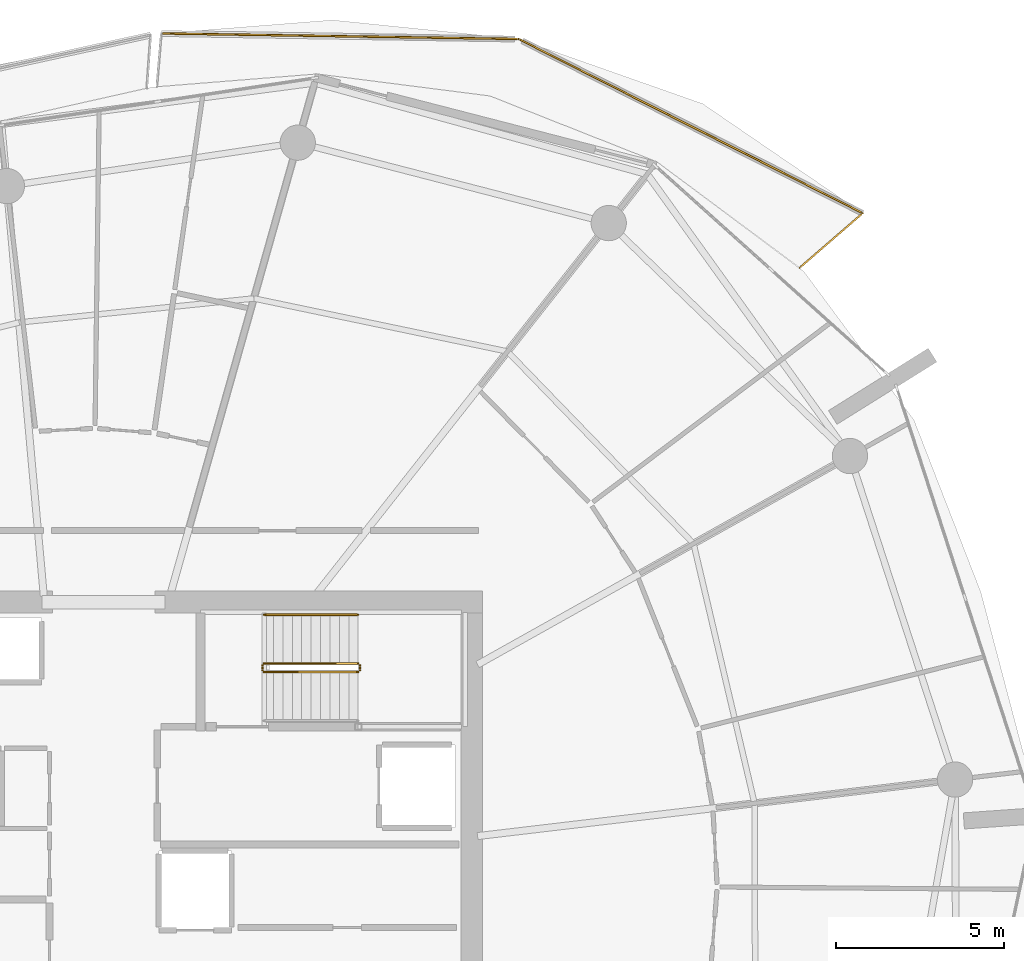
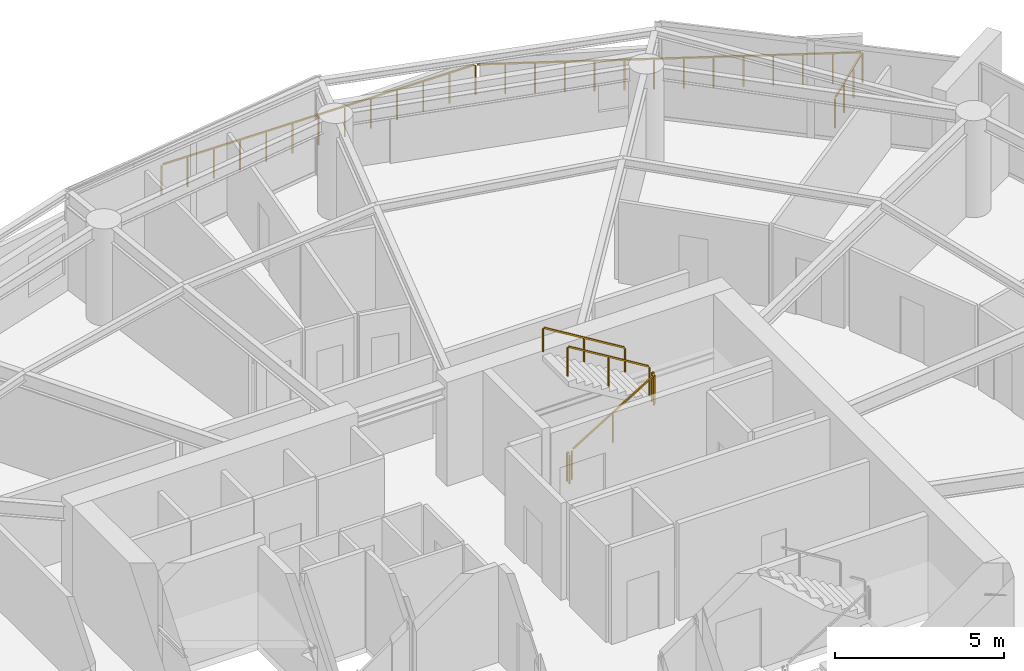
# One storey, part 20 of 20: 8 railings.
"""IFC4 building model written with IfcOpenShell, lengths in metres."""

from ifc_helpers import new_model, si_unit, direction, frame, origin, origin_2d, place, context, subcontext, project, spatial, rectangle, extrude, material, type_object, element, save


model = new_model("IFC4")

# Units and contexts
model_context = context("Model", 3, precision=1e-05, world=origin(), true_north=direction((0.0, 1.0)))
body_context = subcontext(model_context, "Body", "Model", "MODEL_VIEW")
ifc_project = project(units=[si_unit("LENGTHUNIT", "METRE"), si_unit("AREAUNIT", "SQUARE_METRE"), si_unit("VOLUMEUNIT", "CUBIC_METRE"), si_unit("PLANEANGLEUNIT", "RADIAN"), si_unit("MASSUNIT", "GRAM", prefix="KILO")], contexts=[model_context])

# Site, building, storey
site_placement = place(None, origin())
site = spatial("IfcSite", under=ifc_project, at=site_placement, CompositionType="ELEMENT")
building_placement = place(site_placement, origin())
building = spatial("IfcBuilding", under=site, at=building_placement, Name="Kazma Halo Residences", CompositionType="ELEMENT")
storey_placement = place(building_placement, frame((0.0, 0.0, 202.800048828125)))
storey = spatial("IfcBuildingStorey", under=building, at=storey_placement, Name="L51", CompositionType="ELEMENT", Elevation=202.800048828125)

# Railings
ifc_material_1 = material(Name="Aluminium AW-6063 T6 Brushed Cap Rail", Category="aluminium")
railing_type_1 = type_object("IfcRailingType", Name="RLG-BAL-CAP-1120", PredefinedType="BALUSTRADE", material=ifc_material_1)
railing_1_placement = place(storey_placement, frame((69.130126953125, 60.271240234375, 0.0)))
element("IfcRailing", 1, at=railing_1_placement, inside=storey, type_object=railing_type_1, Name="L51 NE wave balcony guard 1", PredefinedType="BALUSTRADE", context=body_context, shape_type="SweptSolid", body=[
    extrude(rectangle(XDim=0.050048828125, YDim=0.050048828125, at=origin_2d()), frame((0.0322265625, 0.02783203125, 1.09521484375), z_axis=(0.756442152352, 0.654060601279, 0.0), x_axis=(-0.654060601279, 0.756442152352, 0.0)), (0.0, 0.0, 1.0), 2.39501953125),
    extrude(rectangle(XDim=0.0400390625, YDim=0.0400390625, at=origin_2d()), origin(), (0.0, 0.0, 1.0), 1.05810546875),
    extrude(rectangle(XDim=0.0400390625, YDim=0.0400390625, at=origin_2d()), frame((0.625244140625, 0.540771484375, 0.0)), (0.0, 0.0, 1.0), 1.05810546875),
    extrude(rectangle(XDim=0.0400390625, YDim=0.0400390625, at=origin_2d()), frame((1.250732421875, 1.081298828125, 0.0)), (0.0, 0.0, 1.0), 1.05810546875),
    extrude(rectangle(XDim=0.0400390625, YDim=0.0400390625, at=origin_2d()), frame((1.8759765625, 1.6220703125, 0.0)), (0.0, 0.0, 1.0), 1.05810546875),
])
railing_2_placement = place(storey_placement, frame((71.006103515625, 61.893310546875, 0.0)))
element("IfcRailing", 2, at=railing_2_placement, inside=storey, type_object=railing_type_1, Name="L51 NE wave balcony guard 2", PredefinedType="BALUSTRADE", context=body_context, shape_type="SweptSolid", body=[
    extrude(rectangle(XDim=0.050048828125, YDim=0.050048828125, at=origin_2d()), frame((-0.037841796875, 0.019287109375, 1.09521484375), z_axis=(-0.892128917732, 0.451780913879, 0.0), x_axis=(-0.451780913879, -0.892128917732, 0.0)), (0.0, 0.0, 1.0), 11.382080078125),
    extrude(rectangle(XDim=0.0400390625, YDim=0.0400390625, at=origin_2d()), origin(), (0.0, 0.0, 1.0), 1.05810546875),
    extrude(rectangle(XDim=0.0400390625, YDim=0.0400390625, at=origin_2d()), frame((-0.786865234375, 0.3984375, 0.0)), (0.0, 0.0, 1.0), 1.05810546875),
    extrude(rectangle(XDim=0.0400390625, YDim=0.0400390625, at=origin_2d()), frame((-1.573974609375, 0.797119140625, 0.0)), (0.0, 0.0, 1.0), 1.05810546875),
    extrude(rectangle(XDim=0.0400390625, YDim=0.0400390625, at=origin_2d()), frame((-2.36083984375, 1.195556640625, 0.0)), (0.0, 0.0, 1.0), 1.05810546875),
    extrude(rectangle(XDim=0.0400390625, YDim=0.0400390625, at=origin_2d()), frame((-3.147705078125, 1.593994140625, 0.0)), (0.0, 0.0, 1.0), 1.05810546875),
    extrude(rectangle(XDim=0.0400390625, YDim=0.0400390625, at=origin_2d()), frame((-3.934814453125, 1.99267578125, 0.0)), (0.0, 0.0, 1.0), 1.05810546875),
    extrude(rectangle(XDim=0.0400390625, YDim=0.0400390625, at=origin_2d()), frame((-4.7216796875, 2.39111328125, 0.0)), (0.0, 0.0, 1.0), 1.05810546875),
    extrude(rectangle(XDim=0.0400390625, YDim=0.0400390625, at=origin_2d()), frame((-5.508544921875, 2.78955078125, 0.0)), (0.0, 0.0, 1.0), 1.05810546875),
    extrude(rectangle(XDim=0.0400390625, YDim=0.0400390625, at=origin_2d()), frame((-6.29541015625, 3.18798828125, 0.0)), (0.0, 0.0, 1.0), 1.05810546875),
    extrude(rectangle(XDim=0.0400390625, YDim=0.0400390625, at=origin_2d()), frame((-7.08251953125, 3.586669921875, 0.0)), (0.0, 0.0, 1.0), 1.05810546875),
    extrude(rectangle(XDim=0.0400390625, YDim=0.0400390625, at=origin_2d()), frame((-7.869384765625, 3.985107421875, 0.0)), (0.0, 0.0, 1.0), 1.05810546875),
    extrude(rectangle(XDim=0.0400390625, YDim=0.0400390625, at=origin_2d()), frame((-8.65625, 4.383544921875, 0.0)), (0.0, 0.0, 1.0), 1.05810546875),
    extrude(rectangle(XDim=0.0400390625, YDim=0.0400390625, at=origin_2d()), frame((-9.443359375, 4.7822265625, 0.0)), (0.0, 0.0, 1.0), 1.05810546875),
    extrude(rectangle(XDim=0.0400390625, YDim=0.0400390625, at=origin_2d()), frame((-10.230224609375, 5.1806640625, 0.0)), (0.0, 0.0, 1.0), 1.05810546875),
])
railing_3_placement = place(storey_placement, frame((60.77587890625, 67.073974609375, 0.0)))
element("IfcRailing", 3, at=railing_3_placement, inside=storey, type_object=railing_type_1, Name="L51 NE wave balcony guard 3", PredefinedType="BALUSTRADE", context=body_context, shape_type="SweptSolid", body=[
    extrude(rectangle(XDim=0.050048828125, YDim=0.050048828125, at=origin_2d()), frame((-0.04248046875, 0.000732421875, 1.09521484375), z_axis=(-0.999878880346, 0.015563567677, 0.0), x_axis=(-0.015563567677, -0.999878880346, 0.0)), (0.0, 0.0, 1.0), 10.550537109375),
    extrude(rectangle(XDim=0.0400390625, YDim=0.0400390625, at=origin_2d()), origin(), (0.0, 0.0, 1.0), 1.05810546875),
    extrude(rectangle(XDim=0.0400390625, YDim=0.0400390625, at=origin_2d()), frame((-0.88623046875, 0.013671875, 0.0)), (0.0, 0.0, 1.0), 1.05810546875),
    extrude(rectangle(XDim=0.0400390625, YDim=0.0400390625, at=origin_2d()), frame((-1.7724609375, 0.027587890625, 0.0)), (0.0, 0.0, 1.0), 1.05810546875),
    extrude(rectangle(XDim=0.0400390625, YDim=0.0400390625, at=origin_2d()), frame((-2.65869140625, 0.04150390625, 0.0)), (0.0, 0.0, 1.0), 1.05810546875),
    extrude(rectangle(XDim=0.0400390625, YDim=0.0400390625, at=origin_2d()), frame((-3.544677734375, 0.05517578125, 0.0)), (0.0, 0.0, 1.0), 1.05810546875),
    extrude(rectangle(XDim=0.0400390625, YDim=0.0400390625, at=origin_2d()), frame((-4.430908203125, 0.06884765625, 0.0)), (0.0, 0.0, 1.0), 1.05810546875),
    extrude(rectangle(XDim=0.0400390625, YDim=0.0400390625, at=origin_2d()), frame((-5.317138671875, 0.082763671875, 0.0)), (0.0, 0.0, 1.0), 1.05810546875),
    extrude(rectangle(XDim=0.0400390625, YDim=0.0400390625, at=origin_2d()), frame((-6.203369140625, 0.0966796875, 0.0)), (0.0, 0.0, 1.0), 1.05810546875),
    extrude(rectangle(XDim=0.0400390625, YDim=0.0400390625, at=origin_2d()), frame((-7.089599609375, 0.1103515625, 0.0)), (0.0, 0.0, 1.0), 1.05810546875),
    extrude(rectangle(XDim=0.0400390625, YDim=0.0400390625, at=origin_2d()), frame((-7.9755859375, 0.1240234375, 0.0)), (0.0, 0.0, 1.0), 1.05810546875),
    extrude(rectangle(XDim=0.0400390625, YDim=0.0400390625, at=origin_2d()), frame((-8.86181640625, 0.137939453125, 0.0)), (0.0, 0.0, 1.0), 1.05810546875),
    extrude(rectangle(XDim=0.0400390625, YDim=0.0400390625, at=origin_2d()), frame((-9.748046875, 0.15185546875, 0.0)), (0.0, 0.0, 1.0), 1.05810546875),
    extrude(rectangle(XDim=0.0400390625, YDim=0.0400390625, at=origin_2d()), frame((-10.63427734375, 0.16552734375, 0.0)), (0.0, 0.0, 1.0), 1.05810546875),
])
ifc_material_2 = material(Name="Painted Steel S355", Category="steel")
railing_type_2 = type_object("IfcRailingType", Name="RLG-STAIR-GRD-1100", PredefinedType="GUARDRAIL", material=ifc_material_2)
railing_4_placement = place(storey_placement, frame((53.199951171875, 48.25, 0.17041015625)))
element("IfcRailing", 4, at=railing_4_placement, inside=storey, type_object=railing_type_2, Name="L51 ST-02 stair guard 1", PredefinedType="GUARDRAIL", context=body_context, shape_type="SweptSolid", body=[
    extrude(rectangle(XDim=0.050048828125, YDim=0.050048828125, at=origin_2d()), frame((0.036376953125, 0.0, 1.09716796875), z_axis=(0.854169791009, 0.0, 0.51999420009), x_axis=(0.0, 1.0, 0.0)), (0.0, 0.0, 1.0), 3.193115234375),
    extrude(rectangle(XDim=0.0400390625, YDim=0.0400390625, at=origin_2d()), origin(), (0.0, 0.0, 1.0), 1.0380859375),
    extrude(rectangle(XDim=0.0400390625, YDim=0.0400390625, at=origin_2d()), frame((1.39990234375, 0.0, 0.852294921875)), (0.0, 0.0, 1.0), 1.0380859375),
    extrude(rectangle(XDim=0.0400390625, YDim=0.0400390625, at=origin_2d()), frame((2.800048828125, 0.0, 1.70458984375)), (0.0, 0.0, 1.0), 1.0380859375),
])
railing_5_placement = place(storey_placement, frame((56.050048828125, 48.300048828125, 1.875)))
element("IfcRailing", 5, at=railing_5_placement, inside=storey, type_object=railing_type_2, Name="L51 ST-02 stair guard 2", PredefinedType="GUARDRAIL", context=body_context, shape_type="SweptSolid", body=[
    extrude(rectangle(XDim=0.050048828125, YDim=0.050048828125, at=origin_2d()), frame((0.0, 0.04248046875, 1.0751953125), z_axis=(0.0, 1.0, 0.0), x_axis=(-1.0, 0.0, 0.0)), (0.0, 0.0, 1.0), 0.06494140625),
    extrude(rectangle(XDim=0.0400390625, YDim=0.0400390625, at=origin_2d()), origin(), (0.0, 0.0, 1.0), 1.0380859375),
    extrude(rectangle(XDim=0.0400390625, YDim=0.0400390625, at=origin_2d()), frame((0.0, 0.14990234375, 0.0)), (0.0, 0.0, 1.0), 1.0380859375),
])
railing_6_placement = place(storey_placement, frame((56.0, 48.5, 2.04541015625)))
element("IfcRailing", 6, at=railing_6_placement, inside=storey, type_object=railing_type_2, Name="L51 ST-02 stair guard 3", PredefinedType="GUARDRAIL", context=body_context, shape_type="SweptSolid", body=[
    extrude(rectangle(XDim=0.050048828125, YDim=0.050048828125, at=origin_2d()), frame((-0.036376953125, 0.0, 1.09716796875), z_axis=(-0.854169791009, 0.0, 0.51999420009), x_axis=(0.0, -1.0, 0.0)), (0.0, 0.0, 1.0), 3.193115234375),
    extrude(rectangle(XDim=0.0400390625, YDim=0.0400390625, at=origin_2d()), origin(), (0.0, 0.0, 1.0), 1.0380859375),
    extrude(rectangle(XDim=0.0400390625, YDim=0.0400390625, at=origin_2d()), frame((-1.39990234375, 0.0, 0.852294921875)), (0.0, 0.0, 1.0), 1.0380859375),
    extrude(rectangle(XDim=0.0400390625, YDim=0.0400390625, at=origin_2d()), frame((-2.800048828125, 0.0, 1.70458984375)), (0.0, 0.0, 1.0), 1.0380859375),
])
railing_7_placement = place(storey_placement, frame((53.14990234375, 48.300048828125, 0.0)))
element("IfcRailing", 7, at=railing_7_placement, inside=storey, type_object=railing_type_2, Name="L51 ST-02 stair guard 4", PredefinedType="GUARDRAIL", context=body_context, shape_type="SweptSolid", body=[
    extrude(rectangle(XDim=0.050048828125, YDim=0.050048828125, at=origin_2d()), frame((0.0, 0.04248046875, 1.0751953125), z_axis=(0.0, 1.0, 0.0), x_axis=(-1.0, 0.0, 0.0)), (0.0, 0.0, 1.0), 0.06494140625),
    extrude(rectangle(XDim=0.0400390625, YDim=0.0400390625, at=origin_2d()), origin(), (0.0, 0.0, 1.0), 1.0380859375),
    extrude(rectangle(XDim=0.0400390625, YDim=0.0400390625, at=origin_2d()), frame((0.0, 0.14990234375, 0.0)), (0.0, 0.0, 1.0), 1.0380859375),
])
ifc_material_3 = material(Name="Brushed Stainless Steel", Category="steel")
railing_type_3 = type_object("IfcRailingType", Name="RLG-STAIR-HND-900", PredefinedType="HANDRAIL", material=ifc_material_3)
railing_8_placement = place(storey_placement, frame((56.0, 49.949951171875, 2.04541015625)))
element("IfcRailing", 8, at=railing_8_placement, inside=storey, type_object=railing_type_3, Name="L51 ST-02 stair handrail 2", PredefinedType="HANDRAIL", context=body_context, shape_type="SweptSolid", body=[
    extrude(rectangle(XDim=0.050048828125, YDim=0.050048828125, at=origin_2d()), frame((-0.036376953125, 0.0, 0.89697265625), z_axis=(-0.854169791009, 0.0, 0.51999420009), x_axis=(0.0, -1.0, 0.0)), (0.0, 0.0, 1.0), 3.193115234375),
    extrude(rectangle(XDim=0.0400390625, YDim=0.0400390625, at=origin_2d()), origin(), (0.0, 0.0, 1.0), 0.837890625),
    extrude(rectangle(XDim=0.0400390625, YDim=0.0400390625, at=origin_2d()), frame((-1.39990234375, 0.0, 0.852294921875)), (0.0, 0.0, 1.0), 0.837890625),
    extrude(rectangle(XDim=0.0400390625, YDim=0.0400390625, at=origin_2d()), frame((-2.800048828125, 0.0, 1.70458984375)), (0.0, 0.0, 1.0), 0.837890625),
])

save(model, "model.ifc")
